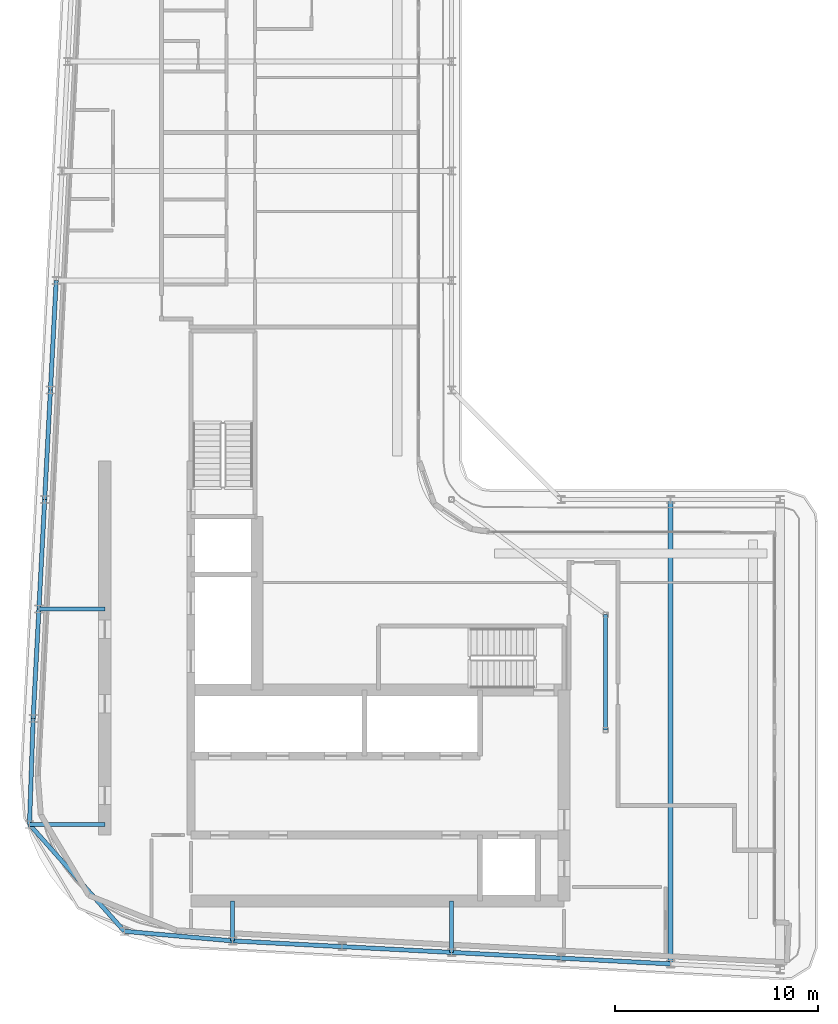
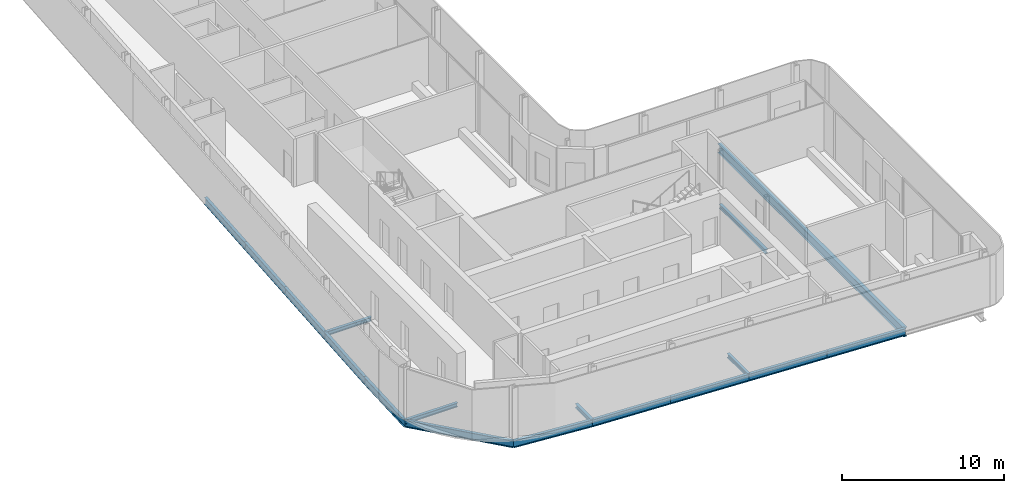
# One storey, part 5 of 21: 17 beams.
"""IFC4 building model written with IfcOpenShell, lengths in metres."""

from ifc_helpers import new_model, si_unit, direction, frame, origin, origin_2d, place, context, subcontext, project, spatial, i_section, extrude, material, material_profile, profile_set, type_object, element, save


model = new_model("IFC4")

# Units and contexts
model_context = context("Model", 3, precision=1e-05, world=origin(), true_north=direction((0.0, 1.0)))
body_context = subcontext(model_context, "Body", "Model", "MODEL_VIEW")
ifc_project = project(units=[si_unit("LENGTHUNIT", "METRE"), si_unit("AREAUNIT", "SQUARE_METRE"), si_unit("VOLUMEUNIT", "CUBIC_METRE"), si_unit("PLANEANGLEUNIT", "RADIAN"), si_unit("MASSUNIT", "GRAM", prefix="KILO")], contexts=[model_context])

# Site, building, storey
site_placement = place(None, origin())
site = spatial("IfcSite", under=ifc_project, at=site_placement, CompositionType="ELEMENT")
building_placement = place(site_placement, origin())
building = spatial("IfcBuilding", under=site, at=building_placement, Name="Kheshtan School and Residences Tower", CompositionType="ELEMENT")
storey_placement = place(building_placement, frame((0.0, 0.0, 278.60009765625)))
storey = spatial("IfcBuildingStorey", under=building, at=storey_placement, Name="L65", CompositionType="ELEMENT", Elevation=278.60009765625)

# Beams
ifc_material = material(Name="Steel ASTM A992 Grade 50", Category="steel")
ifc_material_profile_1 = material_profile(ifc_material, i_section(OverallWidth=0.202880859375, OverallDepth=0.302978515625, WebThickness=0.007568359375, FlangeThickness=0.01318359375, FilletRadius=0.009033203125, at=origin_2d()), Name="W310x60")
ifc_profile_set_1 = profile_set([ifc_material_profile_1], Name="Steel ASTM A992 Grade 50")
beam_type_1 = type_object("IfcBeamType", Name="Beam FB1 W310x60 ASTM A992 Grade 50", PredefinedType="BEAM", material=ifc_profile_set_1)
beam_1_placement = place(storey_placement, frame((47.60009765625, 23.263916015625, -0.301513671875), z_axis=(0.0, 1.0, 0.0), x_axis=(-1.0, 0.0, 0.0)))
element("IfcBeam", 1, at=beam_1_placement, inside=storey, type_object=beam_type_1, Name="Floor beam C020", PredefinedType="BEAM", context=body_context, shape_type="SweptSolid", body=[
    extrude(i_section(OverallWidth=0.202880859375, OverallDepth=0.302978515625, WebThickness=0.007568359375, FlangeThickness=0.01318359375, FilletRadius=0.009033203125, at=origin_2d()), origin(), (0.0, 0.0, 1.0), 2.5361328125),
])
beam_2_placement = place(storey_placement, frame((36.800048828125, 23.83203125, -0.301513671875), z_axis=(0.0, 1.0, 0.0), x_axis=(-1.0, 0.0, 0.0)))
element("IfcBeam", 2, at=beam_2_placement, inside=storey, type_object=beam_type_1, Name="Floor beam C022", PredefinedType="BEAM", context=body_context, shape_type="SweptSolid", body=[
    extrude(i_section(OverallWidth=0.202880859375, OverallDepth=0.302978515625, WebThickness=0.007568359375, FlangeThickness=0.01318359375, FilletRadius=0.009033203125, at=origin_2d()), origin(), (0.0, 0.0, 1.0), 1.968017578125),
])
beam_3_placement = place(storey_placement, frame((26.7880859375, 29.571044921875, -0.301513671875), z_axis=(1.0, 0.0, 0.0), x_axis=(0.0, 1.0, 0.0)))
element("IfcBeam", 3, at=beam_3_placement, inside=storey, type_object=beam_type_1, Name="Floor beam C123", PredefinedType="BEAM", context=body_context, shape_type="SweptSolid", body=[
    extrude(i_section(OverallWidth=0.202880859375, OverallDepth=0.302978515625, WebThickness=0.007568359375, FlangeThickness=0.01318359375, FilletRadius=0.009033203125, at=origin_2d()), origin(), (0.0, 0.0, 1.0), 3.7119140625),
])
beam_4_placement = place(storey_placement, frame((27.2529296875, 40.199951171875, -0.301513671875), z_axis=(1.0, 0.0, 0.0), x_axis=(0.0, 1.0, 0.0)))
element("IfcBeam", 4, at=beam_4_placement, inside=storey, type_object=beam_type_1, Name="Floor beam C056", PredefinedType="BEAM", context=body_context, shape_type="SweptSolid", body=[
    extrude(i_section(OverallWidth=0.202880859375, OverallDepth=0.302978515625, WebThickness=0.007568359375, FlangeThickness=0.01318359375, FilletRadius=0.009033203125, at=origin_2d()), origin(), (0.0, 0.0, 1.0), 3.2470703125),
])
beam_5_placement = place(storey_placement, frame((55.199951171875, 34.23193359375, -0.301513671875), z_axis=(0.0, 1.0, 0.0), x_axis=(-1.0, 0.0, 0.0)))
element("IfcBeam", 5, at=beam_5_placement, inside=storey, type_object=beam_type_1, Name="Floor beam IC", PredefinedType="BEAM", context=body_context, shape_type="SweptSolid", body=[
    extrude(i_section(OverallWidth=0.202880859375, OverallDepth=0.302978515625, WebThickness=0.007568359375, FlangeThickness=0.01318359375, FilletRadius=0.009033203125, at=origin_2d()), origin(), (0.0, 0.0, 1.0), 5.68408203125),
])
ifc_material_profile_2 = material_profile(ifc_material, i_section(OverallWidth=0.2529296875, OverallDepth=0.677978515625, WebThickness=0.01171875, FlangeThickness=0.016357421875, FilletRadius=0.0146484375, at=origin_2d()), Name="W690x125")
ifc_profile_set_2 = profile_set([ifc_material_profile_2], Name="Steel ASTM A992 Grade 50")
beam_type_2 = type_object("IfcBeamType", Name="Beam FB6 W690x125 ASTM A992 Grade 50", PredefinedType="BEAM", material=ifc_profile_set_2)
beam_6_placement = place(storey_placement, frame((58.39990234375, 22.695068359375, -0.489013671875), z_axis=(0.0, 1.0, 0.0), x_axis=(-1.0, 0.0, 0.0)))
element("IfcBeam", 6, at=beam_6_placement, inside=storey, type_object=beam_type_2, Name="Floor beam C018", PredefinedType="BEAM", context=body_context, shape_type="SweptSolid", body=[
    extrude(i_section(OverallWidth=0.2529296875, OverallDepth=0.677978515625, WebThickness=0.01171875, FlangeThickness=0.016357421875, FilletRadius=0.0146484375, at=origin_2d()), origin(), (0.0, 0.0, 1.0), 22.905029296875),
])
ifc_material_profile_3 = material_profile(ifc_material, i_section(OverallWidth=0.208984375, OverallDepth=0.532958984375, WebThickness=0.01025390625, FlangeThickness=0.015625, FilletRadius=0.013916015625, at=origin_2d()), Name="W530x92")
ifc_profile_set_3 = profile_set([ifc_material_profile_3], Name="Steel ASTM A992 Grade 50")
beam_type_3 = type_object("IfcBeamType", Name="Beam SP3 W530x92 ASTM A992 Grade 50", PredefinedType="BEAM", material=ifc_profile_set_3)
for number, where, z_axis, x_axis, name in (
    (7, (58.39990234375, 22.695068359375, -0.41650390625), (-0.998610961136, 0.052689166816, 0.0), (-0.052689166816, -0.998610961136, 0.0), "Spandrel beam C018-C019"),
    (8, (53.0, 22.97998046875, -0.41650390625), (-0.998620447272, 0.05250906864, 0.0), (-0.05250906864, -0.998620447272, 0.0), "Spandrel beam C019-C020"),
):
    element("IfcBeam", number, at=place(storey_placement, frame(where, z_axis=z_axis, x_axis=x_axis)), inside=storey, type_object=beam_type_3, Name=name, PredefinedType="BEAM", context=body_context, shape_type="SweptSolid", body=[
        extrude(i_section(OverallWidth=0.208984375, OverallDepth=0.532958984375, WebThickness=0.01025390625, FlangeThickness=0.015625, FilletRadius=0.013916015625, at=origin_2d()), origin(), (0.0, 0.0, 1.0), 5.407470703125),
    ])
beam_7_placement = place(storey_placement, frame((47.60009765625, 23.263916015625, -0.41650390625), z_axis=(-0.998618203458, 0.052551724256, 0.0), x_axis=(-0.052551724256, -0.998618203458, 0.0)))
element("IfcBeam", 9, at=beam_7_placement, inside=storey, type_object=beam_type_3, Name="Spandrel beam C020-C021", PredefinedType="BEAM", context=body_context, shape_type="SweptSolid", body=[
    extrude(i_section(OverallWidth=0.208984375, OverallDepth=0.532958984375, WebThickness=0.01025390625, FlangeThickness=0.015625, FilletRadius=0.013916015625, at=origin_2d()), origin(), (0.0, 0.0, 1.0), 5.40771484375),
])
beam_8_placement = place(storey_placement, frame((42.199951171875, 23.548095703125, -0.41650390625), z_axis=(-0.998620447272, 0.05250906864, 0.0), x_axis=(-0.05250906864, -0.998620447272, 0.0)))
element("IfcBeam", 10, at=beam_8_placement, inside=storey, type_object=beam_type_3, Name="Spandrel beam C021-C022", PredefinedType="BEAM", context=body_context, shape_type="SweptSolid", body=[
    extrude(i_section(OverallWidth=0.208984375, OverallDepth=0.532958984375, WebThickness=0.01025390625, FlangeThickness=0.015625, FilletRadius=0.013916015625, at=origin_2d()), origin(), (0.0, 0.0, 1.0), 5.407470703125),
])
beam_9_placement = place(storey_placement, frame((36.800048828125, 23.83203125, -0.41650390625), z_axis=(-0.996094319389, 0.08829556547, 0.0), x_axis=(-0.08829556547, -0.996094319389, 0.0)))
element("IfcBeam", 11, at=beam_9_placement, inside=storey, type_object=beam_type_3, Name="Spandrel beam C022-C122", PredefinedType="BEAM", context=body_context, shape_type="SweptSolid", body=[
    extrude(i_section(OverallWidth=0.208984375, OverallDepth=0.532958984375, WebThickness=0.01025390625, FlangeThickness=0.015625, FilletRadius=0.013916015625, at=origin_2d()), origin(), (0.0, 0.0, 1.0), 5.35595703125),
])
beam_10_placement = place(storey_placement, frame((31.465087890625, 24.304931640625, -0.41650390625), z_axis=(-0.664047505347, 0.747690384211, 0.0), x_axis=(-0.747690384211, -0.664047505347, 0.0)))
element("IfcBeam", 12, at=beam_10_placement, inside=storey, type_object=beam_type_3, Name="Spandrel beam C122-C123", PredefinedType="BEAM", context=body_context, shape_type="SweptSolid", body=[
    extrude(i_section(OverallWidth=0.208984375, OverallDepth=0.532958984375, WebThickness=0.01025390625, FlangeThickness=0.015625, FilletRadius=0.013916015625, at=origin_2d()), origin(), (0.0, 0.0, 1.0), 7.043212890625),
])
beam_11_placement = place(storey_placement, frame((26.7880859375, 29.571044921875, -0.41650390625), z_axis=(0.034576380853, 0.999402058176, 0.0), x_axis=(-0.999402058176, 0.034576380853, 0.0)))
element("IfcBeam", 13, at=beam_11_placement, inside=storey, type_object=beam_type_3, Name="Spandrel beam C123-C052", PredefinedType="BEAM", context=body_context, shape_type="SweptSolid", body=[
    extrude(i_section(OverallWidth=0.208984375, OverallDepth=0.532958984375, WebThickness=0.01025390625, FlangeThickness=0.015625, FilletRadius=0.013916015625, at=origin_2d()), origin(), (0.0, 0.0, 1.0), 5.232177734375),
])
beam_12_placement = place(storey_placement, frame((26.968994140625, 34.800048828125, -0.41650390625), z_axis=(0.05250906864, 0.998620447272, 0.0), x_axis=(-0.998620447272, 0.05250906864, 0.0)))
element("IfcBeam", 14, at=beam_12_placement, inside=storey, type_object=beam_type_3, Name="Spandrel beam C052-C056", PredefinedType="BEAM", context=body_context, shape_type="SweptSolid", body=[
    extrude(i_section(OverallWidth=0.208984375, OverallDepth=0.532958984375, WebThickness=0.01025390625, FlangeThickness=0.015625, FilletRadius=0.013916015625, at=origin_2d()), origin(), (0.0, 0.0, 1.0), 5.407470703125),
])
beam_13_placement = place(storey_placement, frame((27.2529296875, 40.199951171875, -0.41650390625), z_axis=(0.052551724256, 0.998618203458, 0.0), x_axis=(-0.998618203458, 0.052551724256, 0.0)))
element("IfcBeam", 15, at=beam_13_placement, inside=storey, type_object=beam_type_3, Name="Spandrel beam C056-C059", PredefinedType="BEAM", context=body_context, shape_type="SweptSolid", body=[
    extrude(i_section(OverallWidth=0.208984375, OverallDepth=0.532958984375, WebThickness=0.01025390625, FlangeThickness=0.015625, FilletRadius=0.013916015625, at=origin_2d()), origin(), (0.0, 0.0, 1.0), 5.40771484375),
])
for number, where, z_axis, x_axis, name in (
    (16, (27.537109375, 45.60009765625, -0.41650390625), (0.052689166816, 0.998610961136, 0.0), (-0.998610961136, 0.052689166816, 0.0), "Spandrel beam C059-C078"),
    (17, (27.822021484375, 51.0, -0.41650390625), (0.05250906864, 0.998620447272, 0.0), (-0.998620447272, 0.05250906864, 0.0), "Spandrel beam C078-C080"),
):
    element("IfcBeam", number, at=place(storey_placement, frame(where, z_axis=z_axis, x_axis=x_axis)), inside=storey, type_object=beam_type_3, Name=name, PredefinedType="BEAM", context=body_context, shape_type="SweptSolid", body=[
        extrude(i_section(OverallWidth=0.208984375, OverallDepth=0.532958984375, WebThickness=0.01025390625, FlangeThickness=0.015625, FilletRadius=0.013916015625, at=origin_2d()), origin(), (0.0, 0.0, 1.0), 5.407470703125),
    ])

save(model, "model.ifc")
